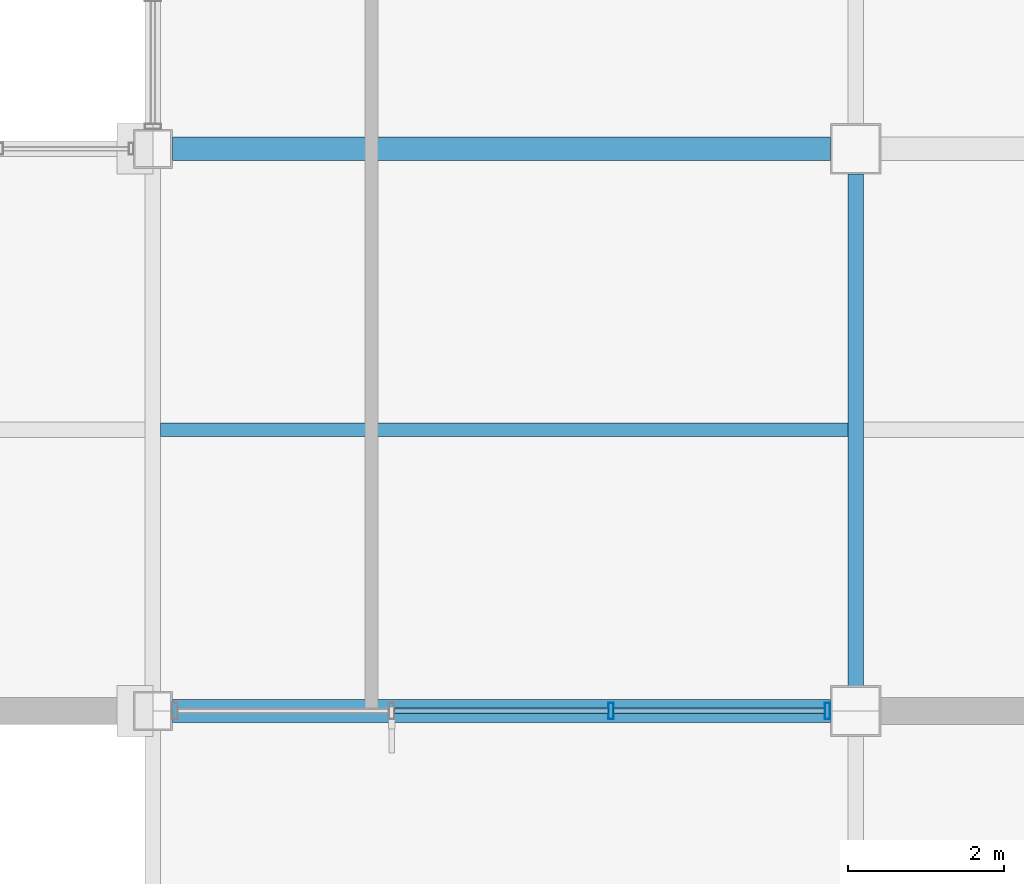
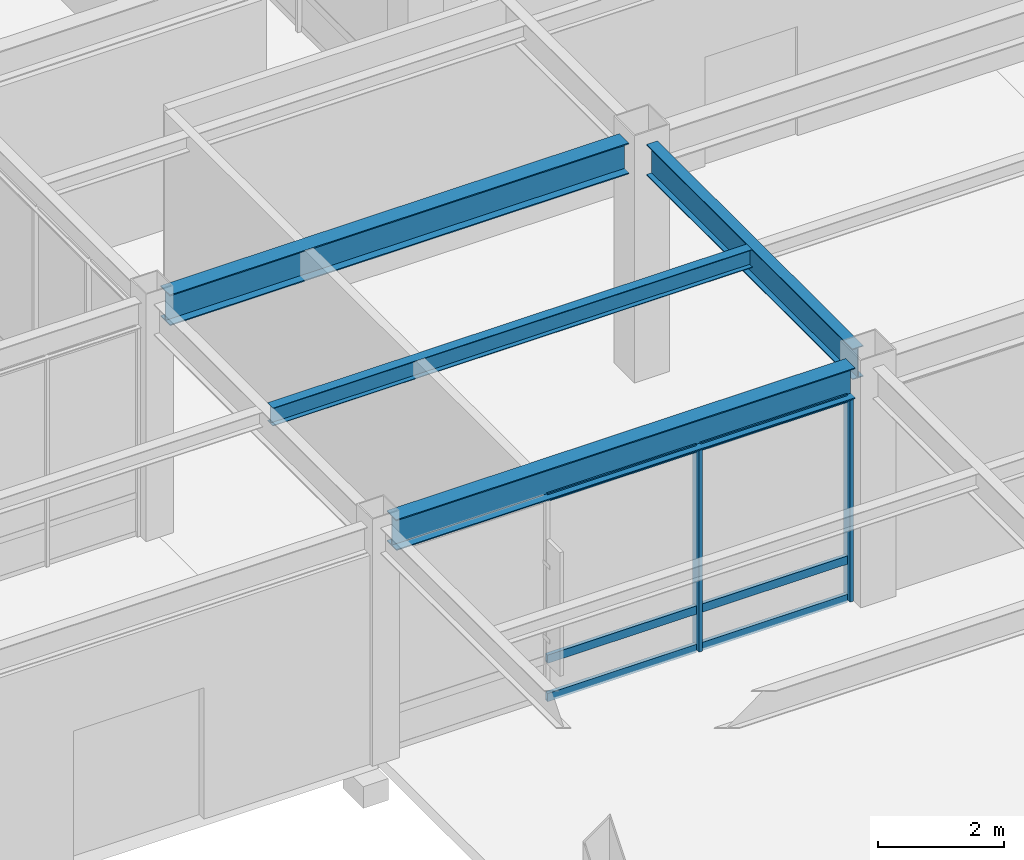
# One storey, part 24 of 112: 8 members, 4 beams, 1 element without a shape of its own.
"""IFC4 building model written with IfcOpenShell, lengths in metres."""

from ifc_helpers import new_model, si_unit, direction, frame, origin, origin_2d, place, context, subcontext, project, spatial, hollow_rectangle, i_section, extrude, material, material_profile, profile_set, type_object, element, aggregate, save


model = new_model("IFC4")

# Units and contexts
model_context = context("Model", 3, precision=1e-05, world=origin(), true_north=direction((0.0, 1.0)))
body_context = subcontext(model_context, "Body", "Model", "MODEL_VIEW")
ifc_project = project(units=[si_unit("LENGTHUNIT", "METRE"), si_unit("AREAUNIT", "SQUARE_METRE"), si_unit("VOLUMEUNIT", "CUBIC_METRE"), si_unit("PLANEANGLEUNIT", "RADIAN"), si_unit("MASSUNIT", "GRAM", prefix="KILO")], contexts=[model_context])

# Site, building, storey
site_placement = place(None, origin())
site = spatial("IfcSite", under=ifc_project, at=site_placement, CompositionType="ELEMENT")
building_placement = place(site_placement, origin())
building = spatial("IfcBuilding", under=site, at=building_placement, Name="Kazanami Central Library", CompositionType="ELEMENT")
storey_placement = place(building_placement, origin())
storey = spatial("IfcBuildingStorey", under=building, at=storey_placement, Name="L01", CompositionType="ELEMENT", Elevation=0.0)

# Beams
ifc_material_1 = material(Name="Steel SN400B (235 MPa)", Category="steel")
ifc_material_profile_1 = material_profile(ifc_material_1, i_section(OverallWidth=0.175048828125, OverallDepth=0.35009765625, WebThickness=0.007080078125, FlangeThickness=0.010986328125, at=origin_2d()), Name="H-350x175x7x11")
ifc_profile_set_1 = profile_set([ifc_material_profile_1], Name="Steel SN400B (235 MPa)")
beam_type_1 = type_object("IfcBeamType", Name="BM-B-S2", PredefinedType="JOIST", material=ifc_profile_set_1)
beam_1_placement = place(storey_placement, frame((45.097900390625, 25.199951171875, 4.3798828125), z_axis=(1.0, 0.0, 0.0), x_axis=(0.0, 1.0, 0.0)))
element("IfcBeam", 1, at=beam_1_placement, inside=storey, type_object=beam_type_1, Name="Composite Secondary Joist B-S2 L01 Bay 6/D.1", PredefinedType="JOIST", context=body_context, shape_type="SweptSolid", body=[
    extrude(i_section(OverallWidth=0.175048828125, OverallDepth=0.35009765625, WebThickness=0.007080078125, FlangeThickness=0.010986328125, at=origin_2d()), origin(), (0.0, 0.0, 1.0), 8.80419921875),
])
ifc_material_2 = material(Name="Steel SN490B (325 MPa)", Category="steel")
ifc_material_profile_2 = material_profile(ifc_material_2, i_section(OverallWidth=0.300048828125, OverallDepth=0.60009765625, WebThickness=0.011962890625, FlangeThickness=0.02001953125, at=origin_2d()), Name="H-600x300x12x20")
ifc_profile_set_2 = profile_set([ifc_material_profile_2], Name="Steel SN490B (325 MPa)")
beam_type_2 = type_object("IfcBeamType", Name="BM-G-X1", PredefinedType="BEAM", material=ifc_profile_set_2)
for number, where, z_axis, x_axis, name in (
    (2, (45.248046875, 21.60009765625, 4.2548828125), (1.0, 0.0, 0.0), (0.0, 1.0, 0.0), "Girder G-X1 L01 D/6-7"),
    (3, (45.248046875, 28.800048828125, 4.2548828125), (1.0, 0.0, 0.0), (0.0, 1.0, 0.0), "Girder G-X1 L01 E/6-7"),
):
    element("IfcBeam", number, at=place(storey_placement, frame(where, z_axis=z_axis, x_axis=x_axis)), inside=storey, type_object=beam_type_2, Name=name, PredefinedType="BEAM", context=body_context, shape_type="SweptSolid", body=[
        extrude(i_section(OverallWidth=0.300048828125, OverallDepth=0.60009765625, WebThickness=0.011962890625, FlangeThickness=0.02001953125, at=origin_2d()), origin(), (0.0, 0.0, 1.0), 8.428955078125),
    ])
ifc_material_profile_3 = material_profile(ifc_material_2, i_section(OverallWidth=0.199951171875, OverallDepth=0.60009765625, WebThickness=0.010986328125, FlangeThickness=0.01708984375, at=origin_2d()), Name="H-600x200x11x17")
ifc_profile_set_3 = profile_set([ifc_material_profile_3], Name="Steel SN490B (325 MPa)")
beam_type_3 = type_object("IfcBeamType", Name="BM-G-Y1", PredefinedType="BEAM", material=ifc_profile_set_3)
beam_2_placement = place(storey_placement, frame((54.0, 21.923095703125, 4.2548828125), z_axis=(0.0, 1.0, 0.0), x_axis=(-1.0, 0.0, 0.0)))
element("IfcBeam", 4, at=beam_2_placement, inside=storey, type_object=beam_type_3, Name="Girder G-Y1 L01 7/D-E", PredefinedType="BEAM", context=body_context, shape_type="SweptSolid", body=[
    extrude(i_section(OverallWidth=0.199951171875, OverallDepth=0.60009765625, WebThickness=0.010986328125, FlangeThickness=0.01708984375, at=origin_2d()), origin(), (0.0, 0.0, 1.0), 6.553955078125),
])

# Curtain wall, members
ifc_material_3 = material(Name="Acid-Etched Low-E Laminated Glass", Category="glass")
curtain_wall_type = type_object("IfcCurtainWallType", Name="CW-8425x3955-M275", PredefinedType="USERDEFINED", material=ifc_material_3)
curtain_wall_placement = place(storey_placement, origin())
curtain_wall = element("IfcCurtainWall", 5, at=curtain_wall_placement, inside=storey, type_object=curtain_wall_type, Name="Unitised Curtain Wall CW-01 L01 S-D-05", ObjectType="UNITISED CURTAIN WALL", PredefinedType="USERDEFINED")
ifc_material_4 = material(Name="Anodised Aluminium A6063-T5", Category="aluminium")
ifc_material_profile_4 = material_profile(ifc_material_4, hollow_rectangle(XDim=0.070068359375, YDim=0.2099609375, WallThickness=0.0048828125, at=origin_2d()), Name="ALU-MULL-70x210x5")
ifc_profile_set_4 = profile_set([ifc_material_profile_4], Name="Anodised Aluminium A6063-T5")
member_type_1 = type_object("IfcMemberType", Name="MEM-CW-M1", PredefinedType="MULLION", material=ifc_profile_set_4)
member_1_placement = place(storey_placement, frame((50.86669921875, 21.60009765625, 0.0), z_axis=(0.0, 0.0, 1.0), x_axis=(1.0, 0.0, 0.0)))
member_1 = element("IfcMember", 6, at=member_1_placement, type_object=member_type_1, Name="CW-01 mullion 3", PredefinedType="MULLION", context=body_context, shape_type="SweptSolid", body=[
    extrude(hollow_rectangle(XDim=0.070068359375, YDim=0.2099609375, WallThickness=0.0048828125, at=origin_2d()), origin(), (0.0, 0.0, 1.0), 3.955078125),
])
member_2_placement = place(storey_placement, frame((53.639892578125, 21.60009765625, 0.0), z_axis=(0.0, 0.0, 1.0), x_axis=(1.0, 0.0, 0.0)))
member_2 = element("IfcMember", 7, at=member_2_placement, type_object=member_type_1, Name="CW-01 mullion 4", PredefinedType="MULLION", context=body_context, shape_type="SweptSolid", body=[
    extrude(hollow_rectangle(XDim=0.070068359375, YDim=0.2099609375, WallThickness=0.0048828125, at=origin_2d()), origin(), (0.0, 0.0, 1.0), 3.955078125),
])
ifc_material_profile_5 = material_profile(ifc_material_4, hollow_rectangle(XDim=0.070068359375, YDim=0.159912109375, WallThickness=0.00390625, at=origin_2d()), Name="ALU-TRAN-70x160x4")
ifc_profile_set_5 = profile_set([ifc_material_profile_5], Name="Anodised Aluminium A6063-T5")
member_type_2 = type_object("IfcMemberType", Name="MEM-CW-T1", PredefinedType="USERDEFINED", material=ifc_profile_set_5)
member_3_placement = place(storey_placement, frame((48.09326171875, 21.60009765625, 0.034912109375), z_axis=(1.0, 0.0, 0.0), x_axis=(0.0, 1.0, 0.0)))
member_3 = element("IfcMember", 8, at=member_3_placement, type_object=member_type_2, Name="CW-01 transom 2.1", ObjectType="TRANSOM", PredefinedType="USERDEFINED", context=body_context, shape_type="SweptSolid", body=[
    extrude(hollow_rectangle(XDim=0.070068359375, YDim=0.159912109375, WallThickness=0.00390625, at=origin_2d()), origin(), (0.0, 0.0, 1.0), 2.738525390625),
])
member_4_placement = place(storey_placement, frame((48.09326171875, 21.60009765625, 0.780029296875), z_axis=(1.0, 0.0, 0.0), x_axis=(0.0, 1.0, 0.0)))
member_4 = element("IfcMember", 9, at=member_4_placement, type_object=member_type_2, Name="CW-01 transom 2.2", ObjectType="TRANSOM", PredefinedType="USERDEFINED", context=body_context, shape_type="SweptSolid", body=[
    extrude(hollow_rectangle(XDim=0.070068359375, YDim=0.159912109375, WallThickness=0.00390625, at=origin_2d()), origin(), (0.0, 0.0, 1.0), 2.738525390625),
])
member_5_placement = place(storey_placement, frame((48.09326171875, 21.60009765625, 3.919921875), z_axis=(1.0, 0.0, 0.0), x_axis=(0.0, 1.0, 0.0)))
member_5 = element("IfcMember", 10, at=member_5_placement, type_object=member_type_2, Name="CW-01 transom 2.3", ObjectType="TRANSOM", PredefinedType="USERDEFINED", context=body_context, shape_type="SweptSolid", body=[
    extrude(hollow_rectangle(XDim=0.070068359375, YDim=0.159912109375, WallThickness=0.00390625, at=origin_2d()), origin(), (0.0, 0.0, 1.0), 2.738525390625),
])
member_6_placement = place(storey_placement, frame((50.901611328125, 21.60009765625, 0.034912109375), z_axis=(1.0, 0.0, 0.0), x_axis=(0.0, 1.0, 0.0)))
member_6 = element("IfcMember", 11, at=member_6_placement, type_object=member_type_2, Name="CW-01 transom 3.1", ObjectType="TRANSOM", PredefinedType="USERDEFINED", context=body_context, shape_type="SweptSolid", body=[
    extrude(hollow_rectangle(XDim=0.070068359375, YDim=0.159912109375, WallThickness=0.00390625, at=origin_2d()), origin(), (0.0, 0.0, 1.0), 2.703369140625),
])
member_7_placement = place(storey_placement, frame((50.901611328125, 21.60009765625, 0.780029296875), z_axis=(1.0, 0.0, 0.0), x_axis=(0.0, 1.0, 0.0)))
member_7 = element("IfcMember", 12, at=member_7_placement, type_object=member_type_2, Name="CW-01 transom 3.2", ObjectType="TRANSOM", PredefinedType="USERDEFINED", context=body_context, shape_type="SweptSolid", body=[
    extrude(hollow_rectangle(XDim=0.070068359375, YDim=0.159912109375, WallThickness=0.00390625, at=origin_2d()), origin(), (0.0, 0.0, 1.0), 2.703369140625),
])
member_8_placement = place(storey_placement, frame((50.901611328125, 21.60009765625, 3.919921875), z_axis=(1.0, 0.0, 0.0), x_axis=(0.0, 1.0, 0.0)))
member_8 = element("IfcMember", 13, at=member_8_placement, type_object=member_type_2, Name="CW-01 transom 3.3", ObjectType="TRANSOM", PredefinedType="USERDEFINED", context=body_context, shape_type="SweptSolid", body=[
    extrude(hollow_rectangle(XDim=0.070068359375, YDim=0.159912109375, WallThickness=0.00390625, at=origin_2d()), origin(), (0.0, 0.0, 1.0), 2.703369140625),
])
aggregate(curtain_wall, [member_1, member_2, member_3, member_4, member_5, member_6, member_7, member_8])

save(model, "model.ifc")
